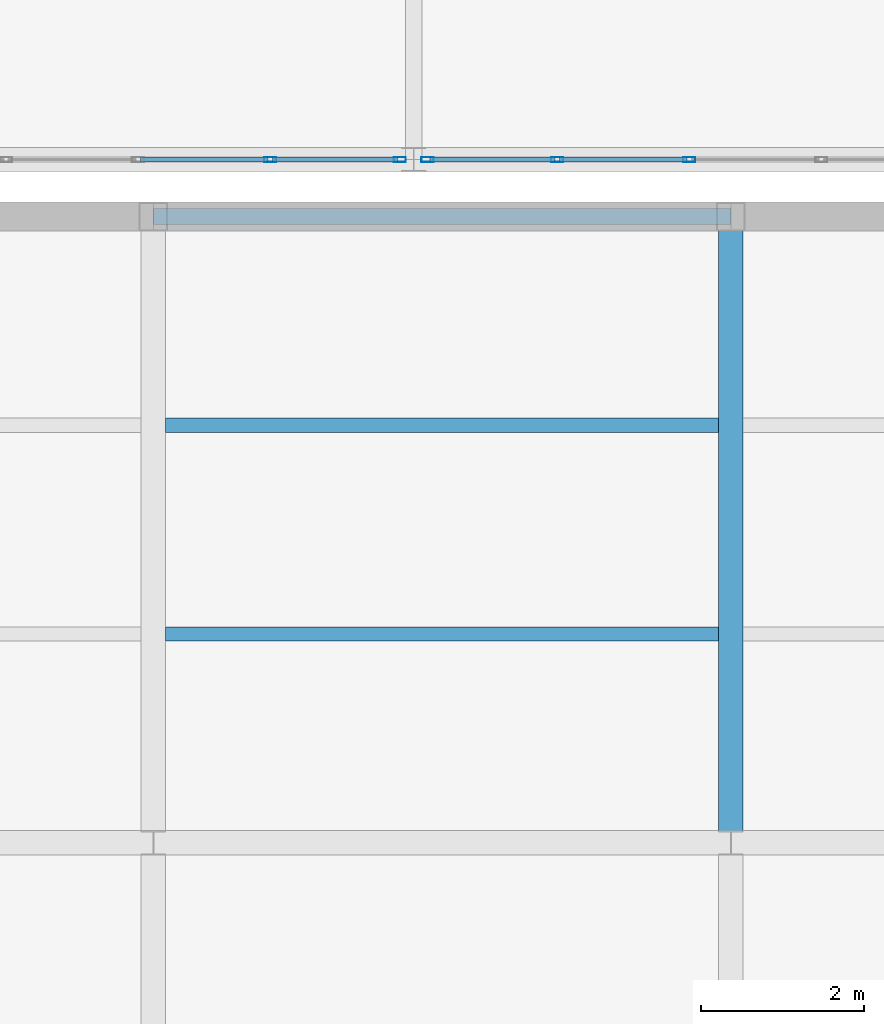
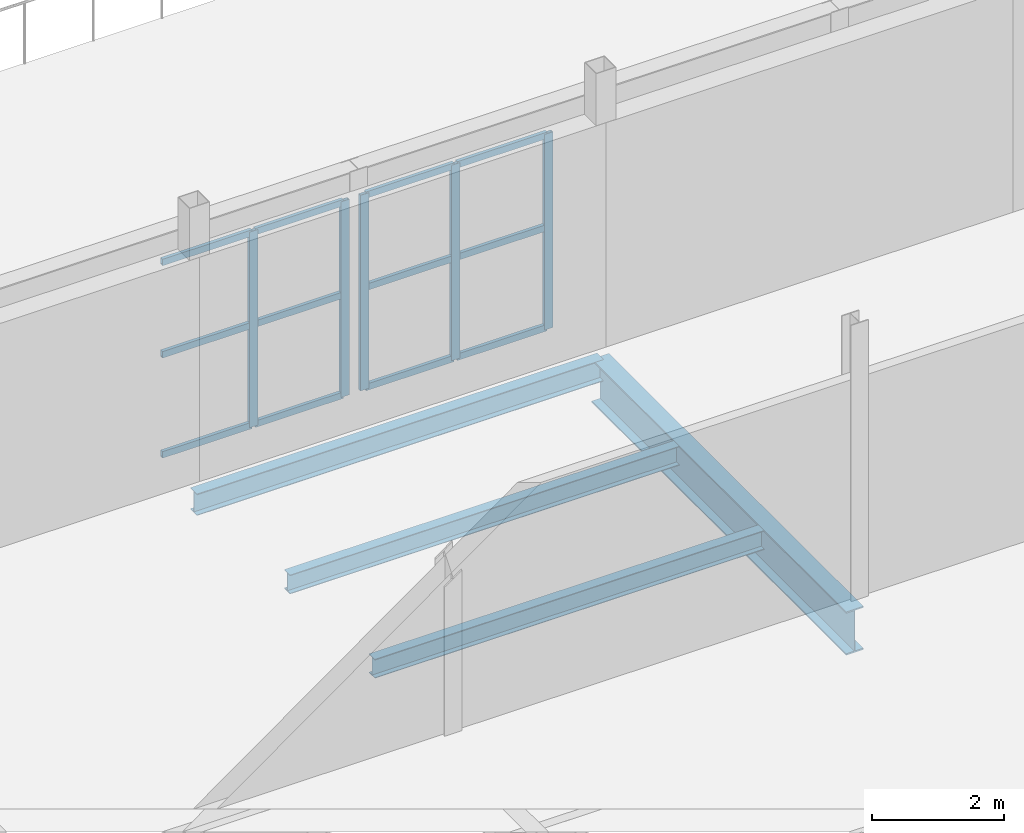
# One storey, part 146 of 218: 17 members, 4 beams, 2 elements without a shape of their own.
"""IFC4 building model written with IfcOpenShell, lengths in metres."""

from ifc_helpers import new_model, si_unit, direction, frame, origin, origin_2d, place, context, subcontext, project, spatial, hollow_rectangle, i_section, extrude, material, material_profile, profile_set, type_object, element, aggregate, save


model = new_model("IFC4")

# Units and contexts
model_context = context("Model", 3, precision=1e-05, world=origin(), true_north=direction((0.0, 1.0)))
body_context = subcontext(model_context, "Body", "Model", "MODEL_VIEW")
ifc_project = project(units=[si_unit("LENGTHUNIT", "METRE"), si_unit("AREAUNIT", "SQUARE_METRE"), si_unit("VOLUMEUNIT", "CUBIC_METRE"), si_unit("PLANEANGLEUNIT", "RADIAN"), si_unit("MASSUNIT", "GRAM", prefix="KILO")], contexts=[model_context])

# Site, building, storey
site_placement = place(None, origin())
site = spatial("IfcSite", under=ifc_project, at=site_placement, CompositionType="ELEMENT")
building_placement = place(site_placement, origin())
building = spatial("IfcBuilding", under=site, at=building_placement, Name="Kazenagashi Tramway Depot", CompositionType="ELEMENT")
storey_placement = place(building_placement, frame((0.0, 0.0, 6.0)))
storey = spatial("IfcBuildingStorey", under=building, at=storey_placement, Name="L02", CompositionType="ELEMENT", Elevation=6.0)

# Beams
ifc_material_1 = material(Name="Steel SN490B", Category="steel")
ifc_material_profile_1 = material_profile(ifc_material_1, i_section(OverallWidth=0.3, OverallDepth=0.8, WebThickness=0.014, FlangeThickness=0.026, at=origin_2d()), Name="H-800x300x14x26")
ifc_profile_set_1 = profile_set([ifc_material_profile_1], Name="Steel SN490B")
beam_type_1 = type_object("IfcBeamType", Name="G-07", PredefinedType="BEAM", material=ifc_profile_set_1)
beam_1_placement = place(storey_placement, frame((174.7, 61.6, -0.68), z_axis=(0.0, 1.0, 0.0), x_axis=(-1.0, 0.0, 0.0)))
element("IfcBeam", 1, at=beam_1_placement, inside=storey, type_object=beam_type_1, Name="Beam G-07 BM-1334", PredefinedType="BEAM", context=body_context, shape_type="SweptSolid", body=[
    extrude(i_section(OverallWidth=0.3, OverallDepth=0.8, WebThickness=0.014, FlangeThickness=0.026, at=origin_2d()), origin(), (0.0, 0.0, 1.0), 7.7),
])
ifc_material_2 = material(Name="Steel SN400B", Category="steel")
ifc_material_profile_2 = material_profile(ifc_material_2, i_section(OverallWidth=0.175, OverallDepth=0.35, WebThickness=0.007, FlangeThickness=0.011, at=origin_2d()), Name="H-350x175x7x11")
ifc_profile_set_2 = profile_set([ifc_material_profile_2], Name="Steel SN400B")
beam_type_2 = type_object("IfcBeamType", Name="J-01", PredefinedType="JOIST", material=ifc_profile_set_2)
for number, where, z_axis, x_axis, name in (
    (2, (167.75, 64.167, -0.455), (1.0, 0.0, 0.0), (0.0, 1.0, 0.0), "Beam J-01 BM-1308"),
    (3, (167.75, 66.733, -0.455), (1.0, 0.0, 0.0), (0.0, 1.0, 0.0), "Beam J-01 BM-1309"),
):
    element("IfcBeam", number, at=place(storey_placement, frame(where, z_axis=z_axis, x_axis=x_axis)), inside=storey, type_object=beam_type_2, Name=name, PredefinedType="JOIST", context=body_context, shape_type="SweptSolid", body=[
        extrude(i_section(OverallWidth=0.175, OverallDepth=0.35, WebThickness=0.007, FlangeThickness=0.011, at=origin_2d()), origin(), (0.0, 0.0, 1.0), 6.8),
    ])

# Curtain wall, members
ifc_material_3 = material(Name="Anodised Aluminium and Low-E Glazing", Category="aluminium")
curtain_wall_type = type_object("IfcCurtainWallType", Name="CW-11", PredefinedType="USERDEFINED", material=ifc_material_3)
curtain_wall_1_placement = place(storey_placement, origin())
curtain_wall_1 = element("IfcCurtainWall", 4, at=curtain_wall_1_placement, inside=storey, type_object=curtain_wall_type, Name="Industrial Glazed Screen CW-11 CW-0049", ObjectType="GLAZED SCREEN", PredefinedType="USERDEFINED")
ifc_material_4 = material(Name="Anodised Aluminium", Category="aluminium")
ifc_material_profile_3 = material_profile(ifc_material_4, hollow_rectangle(XDim=0.06, YDim=0.15, WallThickness=0.004, at=origin_2d()), Name="RHS-150x60x4")
ifc_profile_set_3 = profile_set([ifc_material_profile_3], Name="Anodised Aluminium")
member_type_1 = type_object("IfcMemberType", Name="ML-01", PredefinedType="MULLION", material=ifc_profile_set_3)
member_1_placement = place(storey_placement, frame((169.036, 70.0, 0.0), z_axis=(0.0, 0.0, 1.0), x_axis=(0.0, 1.0, 0.0)))
member_1 = element("IfcMember", 5, at=member_1_placement, type_object=member_type_1, Name="CW-11 mullion 5", PredefinedType="MULLION", context=body_context, shape_type="SweptSolid", body=[
    extrude(hollow_rectangle(XDim=0.06, YDim=0.15, WallThickness=0.004, at=origin_2d()), origin(), (0.0, 0.0, 1.0), 3.612),
])
member_2_placement = place(storey_placement, frame((170.63, 70.0, 0.0), z_axis=(0.0, 0.0, 1.0), x_axis=(0.0, 1.0, 0.0)))
member_2 = element("IfcMember", 6, at=member_2_placement, type_object=member_type_1, Name="CW-11 mullion 6", PredefinedType="MULLION", context=body_context, shape_type="SweptSolid", body=[
    extrude(hollow_rectangle(XDim=0.06, YDim=0.15, WallThickness=0.004, at=origin_2d()), origin(), (0.0, 0.0, 1.0), 3.612),
])

curtain_wall_2_placement = place(storey_placement, origin())
curtain_wall_2 = element("IfcCurtainWall", 7, at=curtain_wall_2_placement, inside=storey, type_object=curtain_wall_type, Name="Industrial Glazed Screen CW-11 CW-0052", ObjectType="GLAZED SCREEN", PredefinedType="USERDEFINED")
member_3_placement = place(storey_placement, frame((170.97, 70.0, 0.0), z_axis=(0.0, 0.0, 1.0), x_axis=(0.0, 1.0, 0.0)))
member_3 = element("IfcMember", 8, at=member_3_placement, type_object=member_type_1, Name="CW-11 mullion 1", PredefinedType="MULLION", context=body_context, shape_type="SweptSolid", body=[
    extrude(hollow_rectangle(XDim=0.06, YDim=0.15, WallThickness=0.004, at=origin_2d()), origin(), (0.0, 0.0, 1.0), 3.612),
])
member_4_placement = place(storey_placement, frame((172.564, 70.0, 0.0), z_axis=(0.0, 0.0, 1.0), x_axis=(0.0, 1.0, 0.0)))
member_4 = element("IfcMember", 9, at=member_4_placement, type_object=member_type_1, Name="CW-11 mullion 2", PredefinedType="MULLION", context=body_context, shape_type="SweptSolid", body=[
    extrude(hollow_rectangle(XDim=0.06, YDim=0.15, WallThickness=0.004, at=origin_2d()), origin(), (0.0, 0.0, 1.0), 3.612),
])
member_5_placement = place(storey_placement, frame((174.188, 70.0, 0.0), z_axis=(0.0, 0.0, 1.0), x_axis=(0.0, 1.0, 0.0)))
member_5 = element("IfcMember", 10, at=member_5_placement, type_object=member_type_1, Name="CW-11 mullion 3", PredefinedType="MULLION", context=body_context, shape_type="SweptSolid", body=[
    extrude(hollow_rectangle(XDim=0.06, YDim=0.15, WallThickness=0.004, at=origin_2d()), origin(), (0.0, 0.0, 1.0), 3.612),
])

# Beam
ifc_material_profile_4 = material_profile(ifc_material_1, i_section(OverallWidth=0.2, OverallDepth=0.4, WebThickness=0.008, FlangeThickness=0.013, at=origin_2d()), Name="H-400x200x8x13")
ifc_profile_set_4 = profile_set([ifc_material_profile_4], Name="Steel SN490B")
beam_type_3 = type_object("IfcBeamType", Name="SP-04", PredefinedType="SPANDREL", material=ifc_profile_set_4)
beam_2_placement = place(storey_placement, frame((167.6, 69.3, -0.48), z_axis=(1.0, 0.0, 0.0), x_axis=(0.0, 1.0, 0.0)))
element("IfcBeam", 11, at=beam_2_placement, inside=storey, type_object=beam_type_3, Name="Beam SP-04 BM-1227", PredefinedType="SPANDREL", context=body_context, shape_type="SweptSolid", body=[
    extrude(i_section(OverallWidth=0.2, OverallDepth=0.4, WebThickness=0.008, FlangeThickness=0.013, at=origin_2d()), origin(), (0.0, 0.0, 1.0), 7.1),
])

# Member
ifc_material_profile_5 = material_profile(ifc_material_4, hollow_rectangle(XDim=0.06, YDim=0.12, WallThickness=0.004, at=origin_2d()), Name="RHS-120x60x4")
ifc_profile_set_5 = profile_set([ifc_material_profile_5], Name="Anodised Aluminium")
member_type_2 = type_object("IfcMemberType", Name="TR-01", PredefinedType="USERDEFINED", material=ifc_profile_set_5)
member_6_placement = place(storey_placement, frame((167.442, 70.0, 0.03), z_axis=(1.0, 0.0, 0.0), x_axis=(0.0, 1.0, 0.0)))
member_6 = element("IfcMember", 12, at=member_6_placement, type_object=member_type_2, Name="CW-11 transom 4.1", ObjectType="TRANSOM", PredefinedType="USERDEFINED", context=body_context, shape_type="SweptSolid", body=[
    extrude(hollow_rectangle(XDim=0.06, YDim=0.12, WallThickness=0.004, at=origin_2d()), origin(), (0.0, 0.0, 1.0), 1.564),
])

member_7_placement = place(storey_placement, frame((167.442, 70.0, 1.878), z_axis=(1.0, 0.0, 0.0), x_axis=(0.0, 1.0, 0.0)))
member_7 = element("IfcMember", 13, at=member_7_placement, type_object=member_type_2, Name="CW-11 transom 4.2", ObjectType="TRANSOM", PredefinedType="USERDEFINED", context=body_context, shape_type="SweptSolid", body=[
    extrude(hollow_rectangle(XDim=0.06, YDim=0.12, WallThickness=0.004, at=origin_2d()), origin(), (0.0, 0.0, 1.0), 1.564),
])

member_8_placement = place(storey_placement, frame((167.442, 70.0, 3.582), z_axis=(1.0, 0.0, 0.0), x_axis=(0.0, 1.0, 0.0)))
member_8 = element("IfcMember", 14, at=member_8_placement, type_object=member_type_2, Name="CW-11 transom 4.3", ObjectType="TRANSOM", PredefinedType="USERDEFINED", context=body_context, shape_type="SweptSolid", body=[
    extrude(hollow_rectangle(XDim=0.06, YDim=0.12, WallThickness=0.004, at=origin_2d()), origin(), (0.0, 0.0, 1.0), 1.564),
])

member_9_placement = place(storey_placement, frame((169.066, 70.0, 0.03), z_axis=(1.0, 0.0, 0.0), x_axis=(0.0, 1.0, 0.0)))
member_9 = element("IfcMember", 15, at=member_9_placement, type_object=member_type_2, Name="CW-11 transom 5.1", ObjectType="TRANSOM", PredefinedType="USERDEFINED", context=body_context, shape_type="SweptSolid", body=[
    extrude(hollow_rectangle(XDim=0.06, YDim=0.12, WallThickness=0.004, at=origin_2d()), origin(), (0.0, 0.0, 1.0), 1.534),
])

member_10_placement = place(storey_placement, frame((169.066, 70.0, 1.878), z_axis=(1.0, 0.0, 0.0), x_axis=(0.0, 1.0, 0.0)))
member_10 = element("IfcMember", 16, at=member_10_placement, type_object=member_type_2, Name="CW-11 transom 5.2", ObjectType="TRANSOM", PredefinedType="USERDEFINED", context=body_context, shape_type="SweptSolid", body=[
    extrude(hollow_rectangle(XDim=0.06, YDim=0.12, WallThickness=0.004, at=origin_2d()), origin(), (0.0, 0.0, 1.0), 1.534),
])

member_11_placement = place(storey_placement, frame((169.066, 70.0, 3.582), z_axis=(1.0, 0.0, 0.0), x_axis=(0.0, 1.0, 0.0)))
member_11 = element("IfcMember", 17, at=member_11_placement, type_object=member_type_2, Name="CW-11 transom 5.3", ObjectType="TRANSOM", PredefinedType="USERDEFINED", context=body_context, shape_type="SweptSolid", body=[
    extrude(hollow_rectangle(XDim=0.06, YDim=0.12, WallThickness=0.004, at=origin_2d()), origin(), (0.0, 0.0, 1.0), 1.534),
])

aggregate(curtain_wall_1, [member_1, member_2, member_6, member_7, member_8, member_9, member_10, member_11])

member_12_placement = place(storey_placement, frame((171.0, 70.0, 0.03), z_axis=(1.0, 0.0, 0.0), x_axis=(0.0, 1.0, 0.0)))
member_12 = element("IfcMember", 18, at=member_12_placement, type_object=member_type_2, Name="CW-11 transom 1.1", ObjectType="TRANSOM", PredefinedType="USERDEFINED", context=body_context, shape_type="SweptSolid", body=[
    extrude(hollow_rectangle(XDim=0.06, YDim=0.12, WallThickness=0.004, at=origin_2d()), origin(), (0.0, 0.0, 1.0), 1.534),
])

member_13_placement = place(storey_placement, frame((171.0, 70.0, 1.878), z_axis=(1.0, 0.0, 0.0), x_axis=(0.0, 1.0, 0.0)))
member_13 = element("IfcMember", 19, at=member_13_placement, type_object=member_type_2, Name="CW-11 transom 1.2", ObjectType="TRANSOM", PredefinedType="USERDEFINED", context=body_context, shape_type="SweptSolid", body=[
    extrude(hollow_rectangle(XDim=0.06, YDim=0.12, WallThickness=0.004, at=origin_2d()), origin(), (0.0, 0.0, 1.0), 1.534),
])

member_14_placement = place(storey_placement, frame((171.0, 70.0, 3.582), z_axis=(1.0, 0.0, 0.0), x_axis=(0.0, 1.0, 0.0)))
member_14 = element("IfcMember", 20, at=member_14_placement, type_object=member_type_2, Name="CW-11 transom 1.3", ObjectType="TRANSOM", PredefinedType="USERDEFINED", context=body_context, shape_type="SweptSolid", body=[
    extrude(hollow_rectangle(XDim=0.06, YDim=0.12, WallThickness=0.004, at=origin_2d()), origin(), (0.0, 0.0, 1.0), 1.534),
])

member_15_placement = place(storey_placement, frame((172.594, 70.0, 0.03), z_axis=(1.0, 0.0, 0.0), x_axis=(0.0, 1.0, 0.0)))
member_15 = element("IfcMember", 21, at=member_15_placement, type_object=member_type_2, Name="CW-11 transom 2.1", ObjectType="TRANSOM", PredefinedType="USERDEFINED", context=body_context, shape_type="SweptSolid", body=[
    extrude(hollow_rectangle(XDim=0.06, YDim=0.12, WallThickness=0.004, at=origin_2d()), origin(), (0.0, 0.0, 1.0), 1.564),
])

member_16_placement = place(storey_placement, frame((172.594, 70.0, 1.878), z_axis=(1.0, 0.0, 0.0), x_axis=(0.0, 1.0, 0.0)))
member_16 = element("IfcMember", 22, at=member_16_placement, type_object=member_type_2, Name="CW-11 transom 2.2", ObjectType="TRANSOM", PredefinedType="USERDEFINED", context=body_context, shape_type="SweptSolid", body=[
    extrude(hollow_rectangle(XDim=0.06, YDim=0.12, WallThickness=0.004, at=origin_2d()), origin(), (0.0, 0.0, 1.0), 1.564),
])

member_17_placement = place(storey_placement, frame((172.594, 70.0, 3.582), z_axis=(1.0, 0.0, 0.0), x_axis=(0.0, 1.0, 0.0)))
member_17 = element("IfcMember", 23, at=member_17_placement, type_object=member_type_2, Name="CW-11 transom 2.3", ObjectType="TRANSOM", PredefinedType="USERDEFINED", context=body_context, shape_type="SweptSolid", body=[
    extrude(hollow_rectangle(XDim=0.06, YDim=0.12, WallThickness=0.004, at=origin_2d()), origin(), (0.0, 0.0, 1.0), 1.564),
])

aggregate(curtain_wall_2, [member_3, member_4, member_5, member_12, member_13, member_14, member_15, member_16, member_17])

save(model, "model.ifc")
